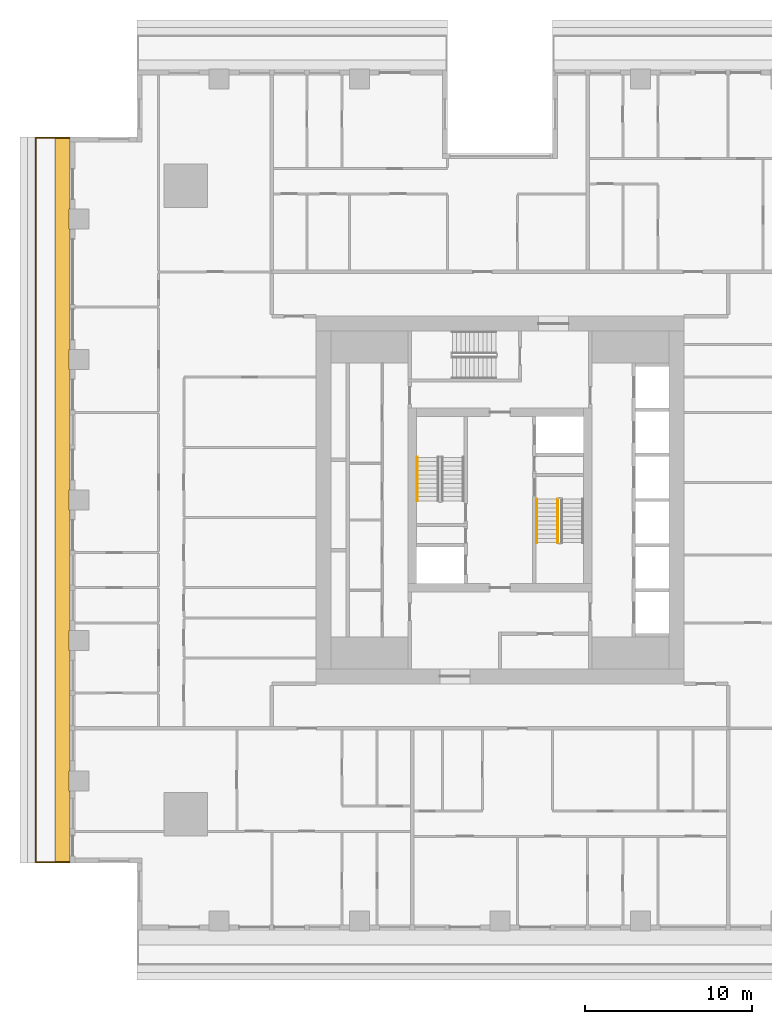
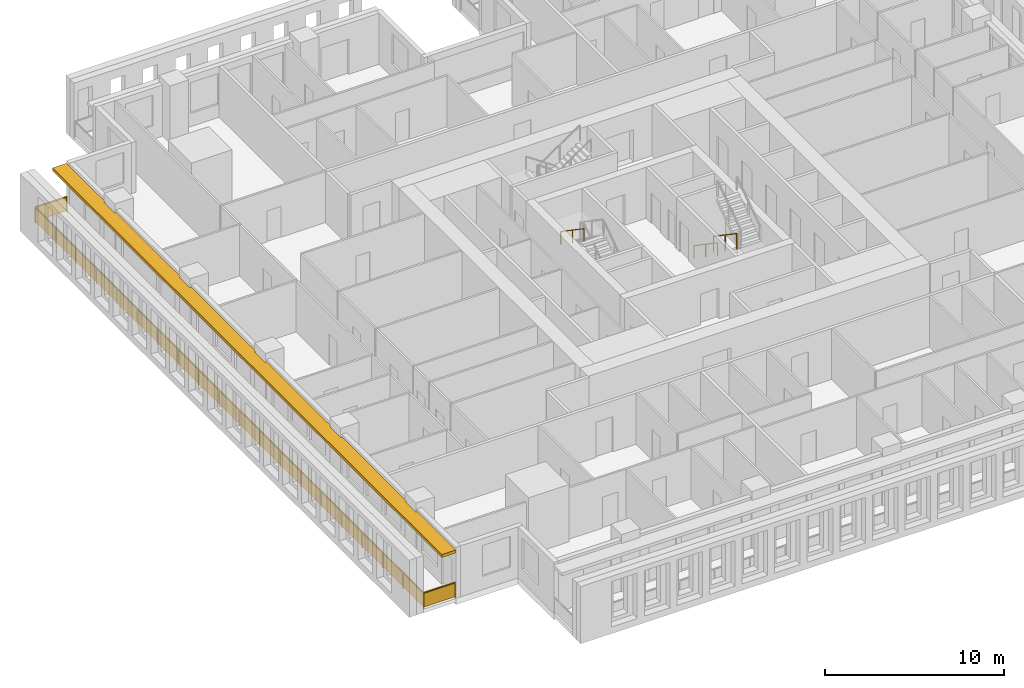
# One storey, part 12 of 16: 4 railings, 1 shading device.
"""IFC4 building model written with IfcOpenShell, lengths in metres."""

from ifc_helpers import new_model, si_unit, direction, frame, origin, origin_2d, place, context, subcontext, project, spatial, polyline, rectangle, outline, extrude, material, layer, layer_set, type_object, element, save


model = new_model("IFC4")

# Units and contexts
model_context = context("Model", 3, precision=1e-05, world=origin(), true_north=direction((0.0, 1.0)))
body_context = subcontext(model_context, "Body", "Model", "MODEL_VIEW")
ifc_project = project(units=[si_unit("LENGTHUNIT", "METRE"), si_unit("AREAUNIT", "SQUARE_METRE"), si_unit("VOLUMEUNIT", "CUBIC_METRE"), si_unit("PLANEANGLEUNIT", "RADIAN"), si_unit("MASSUNIT", "GRAM", prefix="KILO")], contexts=[model_context])

# Site, building, storey
site_placement = place(None, origin())
site = spatial("IfcSite", under=ifc_project, at=site_placement, CompositionType="ELEMENT")
building_placement = place(site_placement, origin())
building = spatial("IfcBuilding", under=site, at=building_placement, Name="Khepri Terraces", CompositionType="ELEMENT")
storey_placement = place(building_placement, frame((0.0, 0.0, 137.699951171875)))
storey = spatial("IfcBuildingStorey", under=building, at=storey_placement, Name="L32", CompositionType="ELEMENT", Elevation=137.699951171875)

# Railings
ifc_material_1 = material(Name="Stainless steel grade 316", Category="steel")
railing_type_1 = type_object("IfcRailingType", Name="GRD-BAL-1100", PredefinedType="GUARDRAIL", material=ifc_material_1)
railing_1_placement = place(storey_placement, frame((-25.719970703125, 21.669921875, 0.0)))
element("IfcRailing", 1, at=railing_1_placement, inside=storey, type_object=railing_type_1, Name="Balcony guard L32 W", PredefinedType="GUARDRAIL", context=body_context, shape_type="SweptSolid", body=[
    extrude(rectangle(XDim=0.050048828125, YDim=0.06005859375, at=origin_2d()), frame((0.0, 0.0, 1.070068359375), z_axis=(-1.0, 0.0, 0.0), x_axis=(0.0, -1.0, 0.0)), (0.0, 0.0, 1.0), 2.050048828125),
    extrude(rectangle(XDim=2.0, YDim=0.011962890625, at=origin_2d()), frame((-1.02490234375, 0.0, 0.10009765625), z_axis=(0.0, 0.0, 1.0), x_axis=(-1.0, 0.0, 0.0)), (0.0, 0.0, 1.0), 0.93994140625),
    extrude(rectangle(XDim=0.050048828125, YDim=0.06005859375, at=origin_2d()), frame((-2.050048828125, 0.0, 1.070068359375), z_axis=(0.0, -1.0, 0.0), x_axis=(1.0, 0.0, 0.0)), (0.0, 0.0, 1.0), 43.33984375),
    extrude(rectangle(XDim=2.23095703125, YDim=0.011962890625, at=origin_2d()), frame((-2.050048828125, -1.140625, 0.10009765625), z_axis=(0.0, 0.0, 1.0), x_axis=(0.0, -1.0, 0.0)), (0.0, 0.0, 1.0), 0.93994140625),
    extrude(rectangle(XDim=2.23095703125, YDim=0.011962890625, at=origin_2d()), frame((-2.050048828125, -3.421630859375, 0.10009765625), z_axis=(0.0, 0.0, 1.0), x_axis=(0.0, -1.0, 0.0)), (0.0, 0.0, 1.0), 0.93994140625),
    extrude(rectangle(XDim=2.23095703125, YDim=0.011962890625, at=origin_2d()), frame((-2.050048828125, -5.70263671875, 0.10009765625), z_axis=(0.0, 0.0, 1.0), x_axis=(0.0, -1.0, 0.0)), (0.0, 0.0, 1.0), 0.93994140625),
    extrude(rectangle(XDim=2.23095703125, YDim=0.011962890625, at=origin_2d()), frame((-2.050048828125, -7.983642578125, 0.10009765625), z_axis=(0.0, 0.0, 1.0), x_axis=(0.0, -1.0, 0.0)), (0.0, 0.0, 1.0), 0.93994140625),
    extrude(rectangle(XDim=2.23095703125, YDim=0.011962890625, at=origin_2d()), frame((-2.050048828125, -10.2646484375, 0.10009765625), z_axis=(0.0, 0.0, 1.0), x_axis=(0.0, -1.0, 0.0)), (0.0, 0.0, 1.0), 0.93994140625),
    extrude(rectangle(XDim=2.23095703125, YDim=0.011962890625, at=origin_2d()), frame((-2.050048828125, -12.545654296875, 0.10009765625), z_axis=(0.0, 0.0, 1.0), x_axis=(0.0, -1.0, 0.0)), (0.0, 0.0, 1.0), 0.93994140625),
    extrude(rectangle(XDim=2.23095703125, YDim=0.011962890625, at=origin_2d()), frame((-2.050048828125, -14.826904296875, 0.10009765625), z_axis=(0.0, 0.0, 1.0), x_axis=(0.0, -1.0, 0.0)), (0.0, 0.0, 1.0), 0.93994140625),
    extrude(rectangle(XDim=2.23095703125, YDim=0.011962890625, at=origin_2d()), frame((-2.050048828125, -17.10791015625, 0.10009765625), z_axis=(0.0, 0.0, 1.0), x_axis=(0.0, -1.0, 0.0)), (0.0, 0.0, 1.0), 0.93994140625),
    extrude(rectangle(XDim=2.23095703125, YDim=0.011962890625, at=origin_2d()), frame((-2.050048828125, -19.388916015625, 0.10009765625), z_axis=(0.0, 0.0, 1.0), x_axis=(0.0, -1.0, 0.0)), (0.0, 0.0, 1.0), 0.93994140625),
    extrude(rectangle(XDim=2.23095703125, YDim=0.011962890625, at=origin_2d()), frame((-2.050048828125, -21.669921875, 0.10009765625), z_axis=(0.0, 0.0, 1.0), x_axis=(0.0, -1.0, 0.0)), (0.0, 0.0, 1.0), 0.93994140625),
    extrude(rectangle(XDim=2.23095703125, YDim=0.011962890625, at=origin_2d()), frame((-2.050048828125, -23.950927734375, 0.10009765625), z_axis=(0.0, 0.0, 1.0), x_axis=(0.0, -1.0, 0.0)), (0.0, 0.0, 1.0), 0.93994140625),
    extrude(rectangle(XDim=2.23095703125, YDim=0.011962890625, at=origin_2d()), frame((-2.050048828125, -26.23193359375, 0.10009765625), z_axis=(0.0, 0.0, 1.0), x_axis=(0.0, -1.0, 0.0)), (0.0, 0.0, 1.0), 0.93994140625),
    extrude(rectangle(XDim=2.23095703125, YDim=0.011962890625, at=origin_2d()), frame((-2.050048828125, -28.512939453125, 0.10009765625), z_axis=(0.0, 0.0, 1.0), x_axis=(0.0, -1.0, 0.0)), (0.0, 0.0, 1.0), 0.93994140625),
    extrude(rectangle(XDim=2.23095703125, YDim=0.011962890625, at=origin_2d()), frame((-2.050048828125, -30.794189453125, 0.10009765625), z_axis=(0.0, 0.0, 1.0), x_axis=(0.0, -1.0, 0.0)), (0.0, 0.0, 1.0), 0.93994140625),
    extrude(rectangle(XDim=2.23095703125, YDim=0.011962890625, at=origin_2d()), frame((-2.050048828125, -33.0751953125, 0.10009765625), z_axis=(0.0, 0.0, 1.0), x_axis=(0.0, -1.0, 0.0)), (0.0, 0.0, 1.0), 0.93994140625),
    extrude(rectangle(XDim=2.23095703125, YDim=0.011962890625, at=origin_2d()), frame((-2.050048828125, -35.356201171875, 0.10009765625), z_axis=(0.0, 0.0, 1.0), x_axis=(0.0, -1.0, 0.0)), (0.0, 0.0, 1.0), 0.93994140625),
    extrude(rectangle(XDim=2.23095703125, YDim=0.011962890625, at=origin_2d()), frame((-2.050048828125, -37.63720703125, 0.10009765625), z_axis=(0.0, 0.0, 1.0), x_axis=(0.0, -1.0, 0.0)), (0.0, 0.0, 1.0), 0.93994140625),
    extrude(rectangle(XDim=2.23095703125, YDim=0.011962890625, at=origin_2d()), frame((-2.050048828125, -39.918212890625, 0.10009765625), z_axis=(0.0, 0.0, 1.0), x_axis=(0.0, -1.0, 0.0)), (0.0, 0.0, 1.0), 0.93994140625),
    extrude(rectangle(XDim=2.23095703125, YDim=0.011962890625, at=origin_2d()), frame((-2.050048828125, -42.19921875, 0.10009765625), z_axis=(0.0, 0.0, 1.0), x_axis=(0.0, -1.0, 0.0)), (0.0, 0.0, 1.0), 0.93994140625),
    extrude(rectangle(XDim=0.050048828125, YDim=0.06005859375, at=origin_2d()), frame((-2.050048828125, -43.33984375, 1.070068359375), z_axis=(1.0, 0.0, 0.0), x_axis=(0.0, 1.0, 0.0)), (0.0, 0.0, 1.0), 2.050048828125),
    extrude(rectangle(XDim=2.0, YDim=0.011962890625, at=origin_2d()), frame((-1.02490234375, -43.33984375, 0.10009765625), z_axis=(0.0, 0.0, 1.0), x_axis=(1.0, 0.0, 0.0)), (0.0, 0.0, 1.0), 0.93994140625),
    extrude(rectangle(XDim=0.050048828125, YDim=0.050048828125, at=origin_2d()), origin(), (0.0, 0.0, 1.0), 1.0400390625),
    extrude(rectangle(XDim=0.050048828125, YDim=0.050048828125, at=origin_2d()), frame((-2.050048828125, 0.0, 0.0)), (0.0, 0.0, 1.0), 1.0400390625),
    extrude(rectangle(XDim=0.050048828125, YDim=0.050048828125, at=origin_2d()), frame((-2.050048828125, -2.281005859375, 0.0)), (0.0, 0.0, 1.0), 1.0400390625),
    extrude(rectangle(XDim=0.050048828125, YDim=0.050048828125, at=origin_2d()), frame((-2.050048828125, -4.56201171875, 0.0)), (0.0, 0.0, 1.0), 1.0400390625),
    extrude(rectangle(XDim=0.050048828125, YDim=0.050048828125, at=origin_2d()), frame((-2.050048828125, -6.843017578125, 0.0)), (0.0, 0.0, 1.0), 1.0400390625),
    extrude(rectangle(XDim=0.050048828125, YDim=0.050048828125, at=origin_2d()), frame((-2.050048828125, -9.124267578125, 0.0)), (0.0, 0.0, 1.0), 1.0400390625),
    extrude(rectangle(XDim=0.050048828125, YDim=0.050048828125, at=origin_2d()), frame((-2.050048828125, -11.4052734375, 0.0)), (0.0, 0.0, 1.0), 1.0400390625),
    extrude(rectangle(XDim=0.050048828125, YDim=0.050048828125, at=origin_2d()), frame((-2.050048828125, -13.686279296875, 0.0)), (0.0, 0.0, 1.0), 1.0400390625),
    extrude(rectangle(XDim=0.050048828125, YDim=0.050048828125, at=origin_2d()), frame((-2.050048828125, -15.96728515625, 0.0)), (0.0, 0.0, 1.0), 1.0400390625),
    extrude(rectangle(XDim=0.050048828125, YDim=0.050048828125, at=origin_2d()), frame((-2.050048828125, -18.248291015625, 0.0)), (0.0, 0.0, 1.0), 1.0400390625),
    extrude(rectangle(XDim=0.050048828125, YDim=0.050048828125, at=origin_2d()), frame((-2.050048828125, -20.529296875, 0.0)), (0.0, 0.0, 1.0), 1.0400390625),
    extrude(rectangle(XDim=0.050048828125, YDim=0.050048828125, at=origin_2d()), frame((-2.050048828125, -22.810546875, 0.0)), (0.0, 0.0, 1.0), 1.0400390625),
    extrude(rectangle(XDim=0.050048828125, YDim=0.050048828125, at=origin_2d()), frame((-2.050048828125, -25.091552734375, 0.0)), (0.0, 0.0, 1.0), 1.0400390625),
    extrude(rectangle(XDim=0.050048828125, YDim=0.050048828125, at=origin_2d()), frame((-2.050048828125, -27.37255859375, 0.0)), (0.0, 0.0, 1.0), 1.0400390625),
    extrude(rectangle(XDim=0.050048828125, YDim=0.050048828125, at=origin_2d()), frame((-2.050048828125, -29.653564453125, 0.0)), (0.0, 0.0, 1.0), 1.0400390625),
    extrude(rectangle(XDim=0.050048828125, YDim=0.050048828125, at=origin_2d()), frame((-2.050048828125, -31.9345703125, 0.0)), (0.0, 0.0, 1.0), 1.0400390625),
    extrude(rectangle(XDim=0.050048828125, YDim=0.050048828125, at=origin_2d()), frame((-2.050048828125, -34.215576171875, 0.0)), (0.0, 0.0, 1.0), 1.0400390625),
    extrude(rectangle(XDim=0.050048828125, YDim=0.050048828125, at=origin_2d()), frame((-2.050048828125, -36.496826171875, 0.0)), (0.0, 0.0, 1.0), 1.0400390625),
    extrude(rectangle(XDim=0.050048828125, YDim=0.050048828125, at=origin_2d()), frame((-2.050048828125, -38.77783203125, 0.0)), (0.0, 0.0, 1.0), 1.0400390625),
    extrude(rectangle(XDim=0.050048828125, YDim=0.050048828125, at=origin_2d()), frame((-2.050048828125, -41.058837890625, 0.0)), (0.0, 0.0, 1.0), 1.0400390625),
    extrude(rectangle(XDim=0.050048828125, YDim=0.050048828125, at=origin_2d()), frame((-2.050048828125, -43.33984375, 0.0)), (0.0, 0.0, 1.0), 1.0400390625),
    extrude(rectangle(XDim=0.050048828125, YDim=0.050048828125, at=origin_2d()), frame((0.0, -43.33984375, 0.0)), (0.0, 0.0, 1.0), 1.0400390625),
])
ifc_material_2 = material(Name="Stainless steel 316", Category="steel")
railing_type_2 = type_object("IfcRailingType", Name="RL-CORE-GUARD", PredefinedType="GUARDRAIL", material=ifc_material_2)
railing_2_placement = place(storey_placement, frame((3.449951171875, 0.050048828125, 0.17724609375)))
element("IfcRailing", 2, at=railing_2_placement, inside=storey, type_object=railing_type_2, Name="L32 ST-2 stair guard 1", PredefinedType="GUARDRAIL", context=body_context, shape_type="SweptSolid", body=[
    extrude(rectangle(XDim=0.050048828125, YDim=0.06005859375, at=origin_2d()), frame((0.0, 0.0, 1.070068359375), z_axis=(0.0, -0.826240473404, 0.563317565952), x_axis=(1.0, 0.0, 0.0)), (0.0, 0.0, 1.0), 3.14697265625),
    extrude(rectangle(XDim=0.050048828125, YDim=0.050048828125, at=origin_2d()), origin(), (0.0, 0.0, 1.0), 1.0400390625),
    extrude(rectangle(XDim=0.050048828125, YDim=0.050048828125, at=origin_2d()), frame((0.0, -1.300048828125, 0.88623046875)), (0.0, 0.0, 1.0), 1.0400390625),
    extrude(rectangle(XDim=0.050048828125, YDim=0.050048828125, at=origin_2d()), frame((0.0, -2.60009765625, 1.772705078125)), (0.0, 0.0, 1.0), 1.0400390625),
])
railing_type_3 = type_object("IfcRailingType", Name="RL-CORE-HANDRAIL", PredefinedType="HANDRAIL", material=ifc_material_2)
for number, where, name in (
    (3, (-4.949951171875, 2.550048828125, 2.12744140625), "L32 ST-1 stair handrail 2"),
    (4, (2.199951171875, 0.050048828125, 0.17724609375), "L32 ST-2 stair handrail 1"),
):
    element("IfcRailing", number, at=place(storey_placement, frame(where)), inside=storey, type_object=railing_type_3, Name=name, PredefinedType="HANDRAIL", context=body_context, shape_type="SweptSolid", body=[
        extrude(rectangle(XDim=0.050048828125, YDim=0.050048828125, at=origin_2d()), frame((0.0, 0.0, 0.875), z_axis=(0.0, -0.826240473404, 0.563317565952), x_axis=(1.0, 0.0, 0.0)), (0.0, 0.0, 1.0), 3.14697265625),
        extrude(rectangle(XDim=0.050048828125, YDim=0.050048828125, at=origin_2d()), origin(), (0.0, 0.0, 1.0), 0.849853515625),
        extrude(rectangle(XDim=0.050048828125, YDim=0.050048828125, at=origin_2d()), frame((0.0, -1.300048828125, 0.88623046875)), (0.0, 0.0, 1.0), 0.849853515625),
        extrude(rectangle(XDim=0.050048828125, YDim=0.050048828125, at=origin_2d()), frame((0.0, -2.60009765625, 1.772705078125)), (0.0, 0.0, 1.0), 0.849853515625),
    ])

# Shading device
ifc_material_3 = material(Name="Precast concrete C50/60 warm stone", Category="masonry")
ifc_layer = layer(ifc_material_3, 0.199951171875, Name="Precast concrete C50/60 warm stone", Category="masonry")
ifc_layer_set = layer_set([ifc_layer], Name="Precast concrete C50/60 warm stone")
shading_device_type = type_object("IfcShadingDeviceType", Name="SSH-BAND-STONE-200", PredefinedType="USERDEFINED", material=ifc_layer_set)
shading_device_placement = place(storey_placement, frame((0.0, 0.0, 3.10009765625)))
element("IfcShadingDevice", 5, at=shading_device_placement, inside=storey, type_object=shading_device_type, Name="Sunshade band L32 W", ObjectType="SUNSHADE", PredefinedType="USERDEFINED", context=body_context, shape_type="SweptSolid", body=[
    extrude(outline(polyline([(-25.719970703125, 17.39990234375), (-25.719970703125, 21.719970703125), (-26.6201171875, 21.719970703125), (-26.6201171875, -21.719970703125), (-25.719970703125, -21.719970703125), (-25.719970703125, -17.39990234375), (-25.800048828125, -17.39990234375), (-25.800048828125, -16.199951171875), (-25.719970703125, -16.199951171875), (-25.719970703125, -9.0), (-25.800048828125, -9.0), (-25.800048828125, -7.800048828125), (-25.719970703125, -7.800048828125), (-25.719970703125, -0.60009765625), (-25.800048828125, -0.60009765625), (-25.800048828125, 0.60009765625), (-25.719970703125, 0.60009765625), (-25.719970703125, 7.800048828125), (-25.800048828125, 7.800048828125), (-25.800048828125, 9.0), (-25.719970703125, 9.0), (-25.719970703125, 16.199951171875), (-25.800048828125, 16.199951171875), (-25.800048828125, 17.39990234375), (-25.719970703125, 17.39990234375)])), origin(), (0.0, 0.0, 1.0), 0.199951171875),
])

save(model, "model.ifc")
